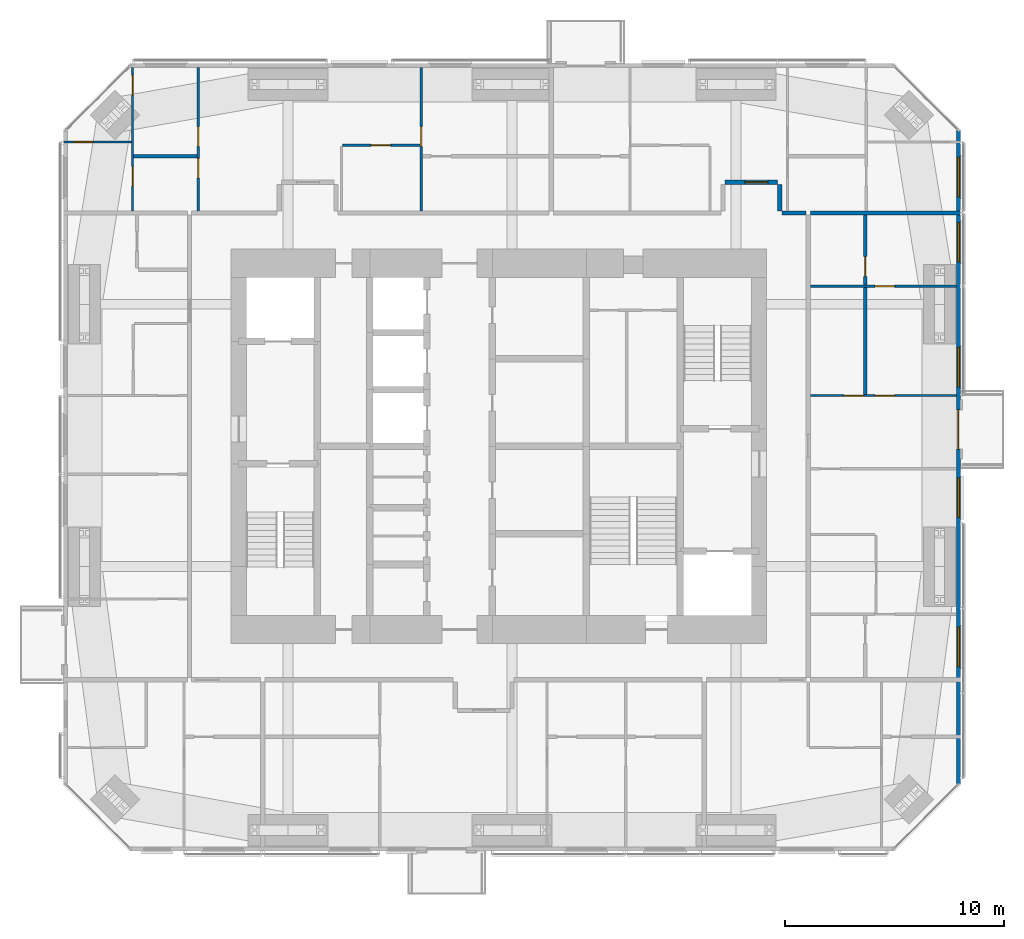
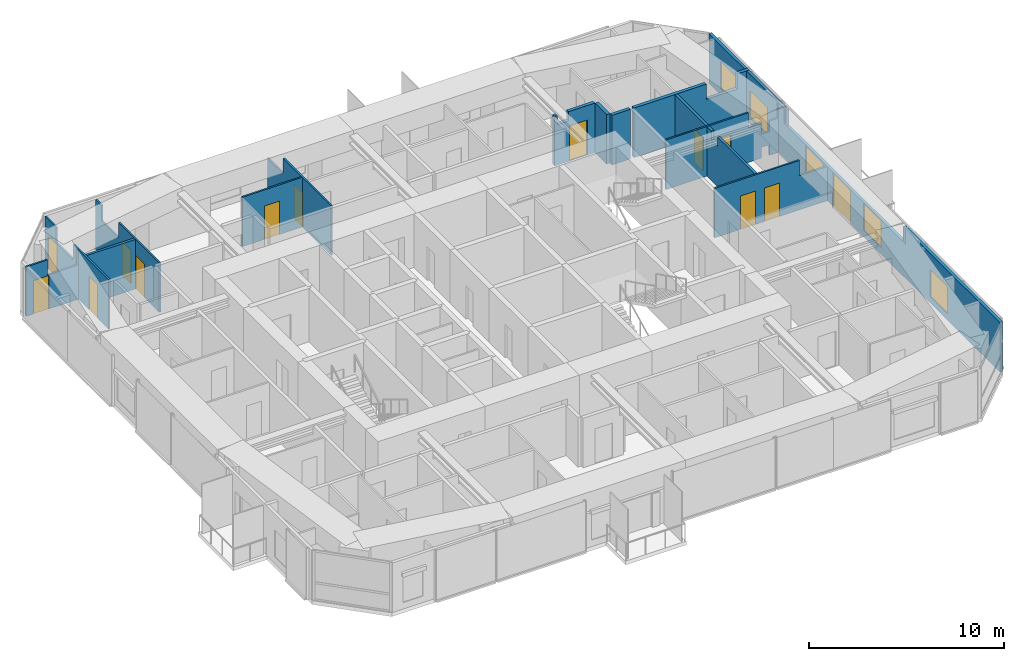
# One storey, part 20 of 23: 15 walls, 13 doors, 5 windows, 18 openings.
"""IFC4 building model written with IfcOpenShell, lengths in metres."""

from ifc_helpers import new_model, si_unit, direction, frame, frame_2d, origin, place, context, subcontext, project, spatial, polyline, rectangle, outline, extrude, material, constituent, constituent_set, type_object, element, fill, save


model = new_model("IFC4")

# Units and contexts
model_context = context("Model", 3, precision=1e-05, world=origin(), true_north=direction((0.0, 1.0)))
body_context = subcontext(model_context, "Body", "Model", "MODEL_VIEW")
ifc_project = project(units=[si_unit("LENGTHUNIT", "METRE"), si_unit("AREAUNIT", "SQUARE_METRE"), si_unit("VOLUMEUNIT", "CUBIC_METRE"), si_unit("PLANEANGLEUNIT", "RADIAN"), si_unit("MASSUNIT", "GRAM", prefix="KILO")], contexts=[model_context])

# Site, building, storey
site_placement = place(None, origin())
site = spatial("IfcSite", under=ifc_project, at=site_placement, CompositionType="ELEMENT")
building_placement = place(site_placement, origin())
building = spatial("IfcBuilding", under=site, at=building_placement, Name="Jalousie Tower", CompositionType="ELEMENT")
storey_placement = place(building_placement, frame((0.0, 0.0, 194.550048828125)))
storey = spatial("IfcBuildingStorey", under=building, at=storey_placement, Name="L53", CompositionType="ELEMENT", Elevation=194.550048828125)

# Walls
ifc_material_1 = material(Name="Concrete block ASTM C90", Category="concrete")
ifc_constituent_1 = constituent(ifc_material_1, Name="Body")
ifc_material_2 = material(Name="Render")
ifc_constituent_2 = constituent(ifc_material_2, Name="Finish")
ifc_constituent_set_1 = constituent_set(constituents=[ifc_constituent_1, ifc_constituent_2])
wall_type_1 = type_object("IfcWallType", Name="BATHROOM WALL 150", PredefinedType="PLUMBINGWALL", material=ifc_constituent_set_1)
wall_1_placement = place(storey_placement, frame((15.199951171875, 31.77490234375, 0.0), z_axis=(0.0, 0.0, 1.0), x_axis=(1.0, 0.0, 0.0)))
element("IfcWall", 1, at=wall_1_placement, inside=storey, type_object=wall_type_1, Name="Bathroom Wall 150 L53", PredefinedType="PLUMBINGWALL", context=body_context, shape_type="SweptSolid", body=[
    extrude(rectangle(XDim=2.900146484375, YDim=0.14990234375, at=frame_2d((1.4501953125, 0.0))), origin(), (0.0, 0.0, 1.0), 3.10986328125),
])
wall_2_placement = place(storey_placement, frame((48.64990234375, 20.875, 0.0), z_axis=(0.0, 0.0, 1.0), x_axis=(0.0, 1.0, 0.0)))
element("IfcWall", 2, at=wall_2_placement, inside=storey, type_object=wall_type_1, Name="Bathroom Wall 150 L53", PredefinedType="PLUMBINGWALL", context=body_context, shape_type="SweptSolid", body=[
    extrude(outline(polyline([(0.0, 0.0), (4.89990234375, 0.0), (4.89990234375, 3.10986328125), (4.4375, 3.10986328125), (4.4375, 2.541015625), (3.8125, 2.541015625), (3.8125, 3.10986328125), (0.0, 3.10986328125), (0.0, 0.0)])), frame((0.0, 0.074951171875, 0.0), z_axis=(0.0, -1.0, 0.0), x_axis=(1.0, 0.0, 0.0)), (0.0, 0.0, 1.0), 0.14990234375),
])

# Wall, opening, door
wall_3_placement = place(storey_placement, frame((48.64990234375, 25.875, 0.0), z_axis=(0.0, 0.0, 1.0), x_axis=(0.0, 1.0, 0.0)))
wall_3 = element("IfcWall", 3, at=wall_3_placement, inside=storey, type_object=wall_type_1, Name="Bathroom Wall 150 L53", PredefinedType="PLUMBINGWALL", context=body_context, shape_type="SweptSolid", body=[
    extrude(rectangle(XDim=3.199951171875, YDim=0.14990234375, at=frame_2d((1.60009765625, 0.0))), origin(), (0.0, 0.0, 1.0), 3.10986328125),
])
opening_1_placement = place(wall_3_placement, frame((0.39990234375, 0.0, 0.0)))
opening_1 = element("IfcOpeningElement", 4, at=opening_1_placement, cuts=wall_3, Name="Opening D3", PredefinedType="OPENING", context=body_context, shape_type="SweptSolid", body=[
    extrude(rectangle(XDim=0.89990234375, YDim=2.10009765625, at=frame_2d((0.449951171875, 1.050048828125))), frame((0.0, 0.0849609375, 0.0), z_axis=(0.0, -1.0, 0.0), x_axis=(1.0, 0.0, 0.0)), (0.0, 0.0, 1.0), 0.169921875),
])
ifc_material_3 = material(Name="Timber door", Category="wood")
door_type_1 = type_object("IfcDoorType", Name="BATHROOM DOOR 900", OperationType="SINGLE_SWING_LEFT", PredefinedType="DOOR", material=ifc_material_3)
door_1_placement = place(opening_1_placement, origin())
door_1 = element("IfcDoor", 5, at=door_1_placement, inside=storey, type_object=door_type_1, Name="Apartment 5307 bedroom 3 bathroom door", OperationType="SINGLE_SWING_LEFT", OverallHeight=2.10009765625, OverallWidth=0.89990234375, PredefinedType="DOOR", context=body_context, shape_type="SweptSolid", body=[
    extrude(rectangle(XDim=0.89990234375, YDim=2.10009765625, at=frame_2d((0.449951171875, 1.050048828125))), frame((0.0, 0.02490234375, 0.0), z_axis=(0.0, -1.0, 0.0), x_axis=(1.0, 0.0, 0.0)), (0.0, 0.0, 1.0), 0.050048828125),
])
fill(opening_1, door_1)

# Wall
ifc_material_4 = material(Name="Concrete block ASTM C90", Category="concrete")
ifc_constituent_3 = constituent(ifc_material_4, Name="Body")
ifc_material_5 = material(Name="Render")
ifc_constituent_4 = constituent(ifc_material_5, Name="Finish")
ifc_constituent_set_2 = constituent_set(constituents=[ifc_constituent_3, ifc_constituent_4])
wall_type_2 = type_object("IfcWallType", Name="CORRIDOR WALL 200", PredefinedType="PARTITIONING", material=ifc_constituent_set_2)
wall_4_placement = place(storey_placement, frame((44.85009765625, 29.175048828125, 0.0), z_axis=(0.0, 0.0, 1.0), x_axis=(1.0, 0.0, 0.0)))
element("IfcWall", 6, at=wall_4_placement, inside=storey, type_object=wall_type_2, Name="Corridor Wall 200 L53", PredefinedType="PARTITIONING", context=body_context, shape_type="SweptSolid", body=[
    extrude(rectangle(XDim=1.099853515625, YDim=0.199951171875, at=frame_2d((0.5498046875, 0.0))), origin(), (0.0, 0.0, 1.0), 3.10986328125),
])

# Wall, opening, door
wall_5_placement = place(storey_placement, frame((42.25, 30.574951171875, 0.0), z_axis=(0.0, 0.0, 1.0), x_axis=(1.0, 0.0, 0.0)))
wall_5 = element("IfcWall", 7, at=wall_5_placement, inside=storey, type_object=wall_type_2, Name="Corridor Wall 200 L53", PredefinedType="PARTITIONING", context=body_context, shape_type="SweptSolid", body=[
    extrude(outline(polyline([(0.0, 0.0), (2.39990234375, 0.0), (2.39990234375, 3.10986328125), (0.83740234375, 3.10986328125), (0.83740234375, 2.541015625), (0.16259765625, 2.541015625), (0.16259765625, 3.10986328125), (0.0, 3.10986328125), (0.0, 0.0)])), frame((0.0, 0.10009765625, 0.0), z_axis=(0.0, -1.0, 0.0), x_axis=(1.0, 0.0, 0.0)), (0.0, 0.0, 1.0), 0.199951171875),
])
opening_2_placement = place(wall_5_placement, frame((0.89990234375, 0.0, 0.0)))
opening_2 = element("IfcOpeningElement", 8, at=opening_2_placement, cuts=wall_5, Name="Opening D1", PredefinedType="OPENING", context=body_context, shape_type="SweptSolid", body=[
    extrude(rectangle(XDim=1.050048828125, YDim=2.199951171875, at=frame_2d((0.52490234375, 1.10009765625))), frame((0.0, 0.10986328125, 0.0), z_axis=(0.0, -1.0, 0.0), x_axis=(1.0, 0.0, 0.0)), (0.0, 0.0, 1.0), 0.219970703125),
])
ifc_material_6 = material(Name="Timber fire door", Category="wood")
door_type_2 = type_object("IfcDoorType", Name="APARTMENT ENTRANCE DOOR 1050", OperationType="SINGLE_SWING_LEFT", PredefinedType="DOOR", material=ifc_material_6)
door_2_placement = place(opening_2_placement, origin())
door_2 = element("IfcDoor", 9, at=door_2_placement, inside=storey, type_object=door_type_2, Name="Apartment 5305 entrance", OperationType="SINGLE_SWING_RIGHT", OverallHeight=2.199951171875, OverallWidth=1.050048828125, PredefinedType="DOOR", context=body_context, shape_type="SweptSolid", body=[
    extrude(rectangle(XDim=1.050048828125, YDim=2.199951171875, at=frame_2d((0.52490234375, 1.10009765625))), frame((0.0, 0.02490234375, 0.0), z_axis=(0.0, -1.0, 0.0), x_axis=(1.0, 0.0, 0.0)), (0.0, 0.0, 1.0), 0.050048828125),
])
fill(opening_2, door_2)

# Wall
wall_6_placement = place(storey_placement, frame((44.75, 29.27490234375, 0.0), z_axis=(0.0, 0.0, 1.0), x_axis=(0.0, 1.0, 0.0)))
element("IfcWall", 10, at=wall_6_placement, inside=storey, type_object=wall_type_2, Name="Corridor Wall 200 L53", PredefinedType="PARTITIONING", context=body_context, shape_type="SweptSolid", body=[
    extrude(rectangle(XDim=1.2001953125, YDim=0.199951171875, at=frame_2d((0.60009765625, 0.0))), origin(), (0.0, 0.0, 1.0), 3.10986328125),
])

# Wall, openings, door, windows
ifc_material_7 = material(Name="Concrete f'c 40 MPa", Category="concrete")
ifc_constituent_5 = constituent(ifc_material_7, Name="Body")
ifc_material_8 = material(Name="Render, pastel lemon")
ifc_constituent_6 = constituent(ifc_material_8, Name="Finish")
ifc_constituent_set_3 = constituent_set(constituents=[ifc_constituent_5, ifc_constituent_6])
wall_type_3 = type_object("IfcWallType", Name="EXTERNAL WALL 175 LEMON RENDER", PredefinedType="SOLIDWALL", material=ifc_constituent_set_3)
wall_7_placement = place(storey_placement, frame((52.91259765625, 3.05126953125, 0.0), z_axis=(0.0, 0.0, 1.0), x_axis=(0.0, 1.0, 0.0)))
wall_7 = element("IfcWall", 11, at=wall_7_placement, inside=storey, type_object=wall_type_3, Name="External Wall 175 Lemon Render L53", PredefinedType="SOLIDWALL", context=body_context, shape_type="SweptSolid", body=[
    extrude(outline(polyline([(0.0, 0.0), (29.8974609375, 0.0), (29.8974609375, 3.10986328125), (22.16748046875, 3.10986328125), (22.16748046875, 2.14990234375), (22.073974609375, 2.14990234375), (22.073974609375, 3.10986328125), (21.94873046875, 3.10986328125), (21.94873046875, 2.14990234375), (9.94873046875, 2.14990234375), (9.94873046875, 3.10986328125), (9.846923828125, 3.10986328125), (9.846923828125, 2.14990234375), (9.7060546875, 2.14990234375), (9.7060546875, 3.10986328125), (0.0, 3.10986328125), (0.0, 0.0)])), frame((0.0, 0.08740234375, 0.0), z_axis=(0.0, -1.0, 0.0), x_axis=(1.0, 0.0, 0.0)), (0.0, 0.0, 1.0), 0.175048828125),
])
opening_3_placement = place(wall_7_placement, frame((5.373779296875, 0.0, 0.39990234375)))
opening_3 = element("IfcOpeningElement", 12, at=opening_3_placement, cuts=wall_7, Name="Opening W-BED170", PredefinedType="OPENING", context=body_context, shape_type="SweptSolid", body=[
    extrude(rectangle(XDim=1.800048828125, YDim=1.699951171875, at=frame_2d((0.89990234375, 0.85009765625))), frame((0.0, 0.097412109375, 0.0), z_axis=(0.0, -1.0, 0.0), x_axis=(1.0, 0.0, 0.0)), (0.0, 0.0, 1.0), 0.195068359375),
])
opening_4_placement = place(wall_7_placement, frame((12.19873046875, 0.0, 0.39990234375)))
opening_4 = element("IfcOpeningElement", 13, at=opening_4_placement, cuts=wall_7, Name="Opening W-BED170", PredefinedType="OPENING", context=body_context, shape_type="SweptSolid", body=[
    extrude(rectangle(XDim=1.800048828125, YDim=1.699951171875, at=frame_2d((0.89990234375, 0.85009765625))), frame((0.0, 0.097412109375, 0.0), z_axis=(0.0, -1.0, 0.0), x_axis=(1.0, 0.0, 0.0)), (0.0, 0.0, 1.0), 0.195068359375),
])
opening_5_placement = place(wall_7_placement, frame((15.32373046875, 0.0, 0.0)))
opening_5 = element("IfcOpeningElement", 14, at=opening_5_placement, cuts=wall_7, Name="Opening D-BAL21", PredefinedType="OPENING", context=body_context, shape_type="SweptSolid", body=[
    extrude(rectangle(XDim=1.800048828125, YDim=2.10009765625, at=frame_2d((0.89990234375, 1.050048828125))), frame((0.0, 0.097412109375, 0.0), z_axis=(0.0, -1.0, 0.0), x_axis=(1.0, 0.0, 0.0)), (0.0, 0.0, 1.0), 0.195068359375),
])
opening_6_placement = place(wall_7_placement, frame((18.173583984375, 0.0, 0.39990234375)))
opening_6 = element("IfcOpeningElement", 15, at=opening_6_placement, cuts=wall_7, Name="Opening W-BED170", PredefinedType="OPENING", context=body_context, shape_type="SweptSolid", body=[
    extrude(rectangle(XDim=1.800048828125, YDim=1.699951171875, at=frame_2d((0.89990234375, 0.85009765625))), frame((0.0, 0.097412109375, 0.0), z_axis=(0.0, -1.0, 0.0), x_axis=(1.0, 0.0, 0.0)), (0.0, 0.0, 1.0), 0.195068359375),
])
opening_7_placement = place(wall_7_placement, frame((23.88623046875, 0.0, 0.39990234375)))
opening_7 = element("IfcOpeningElement", 16, at=opening_7_placement, cuts=wall_7, Name="Opening W-BED170", PredefinedType="OPENING", context=body_context, shape_type="SweptSolid", body=[
    extrude(rectangle(XDim=1.800048828125, YDim=1.699951171875, at=frame_2d((0.89990234375, 0.85009765625))), frame((0.0, 0.097412109375, 0.0), z_axis=(0.0, -1.0, 0.0), x_axis=(1.0, 0.0, 0.0)), (0.0, 0.0, 1.0), 0.195068359375),
])
opening_8_placement = place(wall_7_placement, frame((26.871337890625, 0.0, 0.39990234375)))
opening_8 = element("IfcOpeningElement", 17, at=opening_8_placement, cuts=wall_7, Name="Opening W-BED170", PredefinedType="OPENING", context=body_context, shape_type="SweptSolid", body=[
    extrude(rectangle(XDim=1.800048828125, YDim=1.699951171875, at=frame_2d((0.89990234375, 0.85009765625))), frame((0.0, 0.097412109375, 0.0), z_axis=(0.0, -1.0, 0.0), x_axis=(1.0, 0.0, 0.0)), (0.0, 0.0, 1.0), 0.195068359375),
])
ifc_material_9 = material(Name="Aluminium frame, impact-rated glazing", Category="aluminium")
door_type_3 = type_object("IfcDoorType", Name="BALCONY DOOR 1800x2100", OperationType="SLIDING_TO_LEFT", PredefinedType="DOOR", material=ifc_material_9)
door_3_placement = place(opening_5_placement, origin())
door_3 = element("IfcDoor", 18, at=door_3_placement, inside=storey, type_object=door_type_3, Name="Apartment 5307 study balcony door", OperationType="SLIDING_TO_LEFT", OverallHeight=2.10009765625, OverallWidth=1.800048828125, PredefinedType="DOOR", context=body_context, shape_type="SweptSolid", body=[
    extrude(rectangle(XDim=1.800048828125, YDim=2.10009765625, at=frame_2d((0.89990234375, 1.050048828125))), frame((0.0, 0.02490234375, 0.0), z_axis=(0.0, -1.0, 0.0), x_axis=(1.0, 0.0, 0.0)), (0.0, 0.0, 1.0), 0.050048828125),
])
fill(opening_5, door_3)
ifc_material_10 = material(Name="Aluminium frame, impact-rated glazing", Category="aluminium")
window_type = type_object("IfcWindowType", Name="WINDOW BED 1800x1700", PartitioningType="SINGLE_PANEL", PredefinedType="WINDOW", material=ifc_material_10)
window_1_placement = place(opening_3_placement, origin())
window_1 = element("IfcWindow", 19, at=window_1_placement, inside=storey, type_object=window_type, Name="Apartment 5307 bedroom 1 window", OverallHeight=1.699951171875, OverallWidth=1.800048828125, PartitioningType="SINGLE_PANEL", PredefinedType="WINDOW", context=body_context, shape_type="SweptSolid", body=[
    extrude(rectangle(XDim=1.800048828125, YDim=1.699951171875, at=frame_2d((0.89990234375, 0.85009765625))), frame((0.0, 0.030029296875, 0.0), z_axis=(0.0, -1.0, 0.0), x_axis=(1.0, 0.0, 0.0)), (0.0, 0.0, 1.0), 0.06005859375),
])
fill(opening_3, window_1)
window_2_placement = place(opening_4_placement, origin())
window_2 = element("IfcWindow", 20, at=window_2_placement, inside=storey, type_object=window_type, Name="Apartment 5307 living and dining room window", OverallHeight=1.699951171875, OverallWidth=1.800048828125, PartitioningType="SINGLE_PANEL", PredefinedType="WINDOW", context=body_context, shape_type="SweptSolid", body=[
    extrude(rectangle(XDim=1.800048828125, YDim=1.699951171875, at=frame_2d((0.89990234375, 0.85009765625))), frame((0.0, 0.030029296875, 0.0), z_axis=(0.0, -1.0, 0.0), x_axis=(1.0, 0.0, 0.0)), (0.0, 0.0, 1.0), 0.06005859375),
])
fill(opening_4, window_2)
window_3_placement = place(opening_6_placement, origin())
window_3 = element("IfcWindow", 21, at=window_3_placement, inside=storey, type_object=window_type, Name="Apartment 5307 bedroom 2 window", OverallHeight=1.699951171875, OverallWidth=1.800048828125, PartitioningType="SINGLE_PANEL", PredefinedType="WINDOW", context=body_context, shape_type="SweptSolid", body=[
    extrude(rectangle(XDim=1.800048828125, YDim=1.699951171875, at=frame_2d((0.89990234375, 0.85009765625))), frame((0.0, 0.030029296875, 0.0), z_axis=(0.0, -1.0, 0.0), x_axis=(1.0, 0.0, 0.0)), (0.0, 0.0, 1.0), 0.06005859375),
])
fill(opening_6, window_3)
window_4_placement = place(opening_7_placement, origin())
window_4 = element("IfcWindow", 22, at=window_4_placement, inside=storey, type_object=window_type, Name="Apartment 5307 bedroom 3 window", OverallHeight=1.699951171875, OverallWidth=1.800048828125, PartitioningType="SINGLE_PANEL", PredefinedType="WINDOW", context=body_context, shape_type="SweptSolid", body=[
    extrude(rectangle(XDim=1.800048828125, YDim=1.699951171875, at=frame_2d((0.89990234375, 0.85009765625))), frame((0.0, 0.030029296875, 0.0), z_axis=(0.0, -1.0, 0.0), x_axis=(1.0, 0.0, 0.0)), (0.0, 0.0, 1.0), 0.06005859375),
])
fill(opening_7, window_4)
window_5_placement = place(opening_8_placement, origin())
window_5 = element("IfcWindow", 23, at=window_5_placement, inside=storey, type_object=window_type, Name="Apartment 5305 bedroom 3 window", OverallHeight=1.699951171875, OverallWidth=1.800048828125, PartitioningType="SINGLE_PANEL", PredefinedType="WINDOW", context=body_context, shape_type="SweptSolid", body=[
    extrude(rectangle(XDim=1.800048828125, YDim=1.699951171875, at=frame_2d((0.89990234375, 0.85009765625))), frame((0.0, 0.030029296875, 0.0), z_axis=(0.0, -1.0, 0.0), x_axis=(1.0, 0.0, 0.0)), (0.0, 0.0, 1.0), 0.06005859375),
])
fill(opening_8, window_5)

# Wall, openings, doors
ifc_material_11 = material(Name="Gypsum board", Category="gypsum")
ifc_constituent_7 = constituent(ifc_material_11, Name="Body")
ifc_material_12 = material(Name="Light-gauge steel studs ASTM A653 SS Grade 33", Category="steel")
ifc_constituent_8 = constituent(ifc_material_12, Name="Framing")
ifc_constituent_set_4 = constituent_set(constituents=[ifc_constituent_7, ifc_constituent_8])
wall_type_4 = type_object("IfcWallType", Name="PARTITION 100", PredefinedType="PARTITIONING", material=ifc_constituent_set_4)
wall_8_placement = place(storey_placement, frame((15.14990234375, 35.824951171875, 0.0), z_axis=(0.0, 0.0, 1.0), x_axis=(0.0, -1.0, 0.0)))
wall_8 = element("IfcWall", 24, at=wall_8_placement, inside=storey, type_object=wall_type_4, Name="Partition 100 L53", PredefinedType="PARTITIONING", context=body_context, shape_type="SweptSolid", body=[
    extrude(outline(polyline([(0.0, 0.0), (6.550048828125, 0.0), (6.550048828125, 3.10986328125), (2.905029296875, 3.10986328125), (2.905029296875, 2.14990234375), (1.158203125, 2.14990234375), (1.158203125, 3.10986328125), (0.0, 3.10986328125), (0.0, 0.0)])), frame((0.0, 0.050048828125, 0.0), z_axis=(0.0, -1.0, 0.0), x_axis=(1.0, 0.0, 0.0)), (0.0, 0.0, 1.0), 0.10009765625),
])
opening_9_placement = place(wall_8_placement, frame((0.35498046875, 0.0, 0.0)))
opening_9 = element("IfcOpeningElement", 25, at=opening_9_placement, cuts=wall_8, Name="Opening D2", PredefinedType="OPENING", context=body_context, shape_type="SweptSolid", body=[
    extrude(rectangle(XDim=0.89990234375, YDim=2.10009765625, at=frame_2d((0.449951171875, 1.050048828125))), frame((0.0, 0.06005859375, 0.0), z_axis=(0.0, -1.0, 0.0), x_axis=(1.0, 0.0, 0.0)), (0.0, 0.0, 1.0), 0.1201171875),
])
opening_10_placement = place(wall_8_placement, frame((4.52734375, 0.0, 0.0)))
opening_10 = element("IfcOpeningElement", 26, at=opening_10_placement, cuts=wall_8, Name="Opening D3", PredefinedType="OPENING", context=body_context, shape_type="SweptSolid", body=[
    extrude(rectangle(XDim=0.89990234375, YDim=2.10009765625, at=frame_2d((0.449951171875, 1.050048828125))), frame((0.0, 0.06005859375, 0.0), z_axis=(0.0, -1.0, 0.0), x_axis=(1.0, 0.0, 0.0)), (0.0, 0.0, 1.0), 0.1201171875),
])
door_4_placement = place(opening_10_placement, origin())
door_4 = element("IfcDoor", 27, at=door_4_placement, inside=storey, type_object=door_type_1, Name="Apartment 5304 bedroom 1 bathroom door", OperationType="SINGLE_SWING_LEFT", OverallHeight=2.10009765625, OverallWidth=0.89990234375, PredefinedType="DOOR", context=body_context, shape_type="SweptSolid", body=[
    extrude(rectangle(XDim=0.89990234375, YDim=2.10009765625, at=frame_2d((0.449951171875, 1.050048828125))), frame((0.0, 0.02490234375, 0.0), z_axis=(0.0, -1.0, 0.0), x_axis=(1.0, 0.0, 0.0)), (0.0, 0.0, 1.0), 0.050048828125),
])
fill(opening_10, door_4)
ifc_material_13 = material(Name="Timber door", Category="wood")
door_type_4 = type_object("IfcDoorType", Name="BEDROOM DOOR 900", OperationType="SINGLE_SWING_LEFT", PredefinedType="DOOR", material=ifc_material_13)
door_5_placement = place(opening_9_placement, origin())
door_5 = element("IfcDoor", 28, at=door_5_placement, inside=storey, type_object=door_type_4, Name="Apartment 5304 bedroom 1 door", OperationType="SINGLE_SWING_LEFT", OverallHeight=2.10009765625, OverallWidth=0.89990234375, PredefinedType="DOOR", context=body_context, shape_type="SweptSolid", body=[
    extrude(rectangle(XDim=0.89990234375, YDim=2.10009765625, at=frame_2d((0.449951171875, 1.050048828125))), frame((0.0, 0.02490234375, 0.0), z_axis=(0.0, -1.0, 0.0), x_axis=(1.0, 0.0, 0.0)), (0.0, 0.0, 1.0), 0.050048828125),
])
fill(opening_9, door_5)

wall_9_placement = place(storey_placement, frame((18.14990234375, 35.824951171875, 0.0), z_axis=(0.0, 0.0, 1.0), x_axis=(0.0, -1.0, 0.0)))
wall_9 = element("IfcWall", 29, at=wall_9_placement, inside=storey, type_object=wall_type_4, Name="Partition 100 L53", PredefinedType="PARTITIONING", context=body_context, shape_type="SweptSolid", body=[
    extrude(outline(polyline([(0.0, 0.0), (6.550048828125, 0.0), (6.550048828125, 3.10986328125), (2.3740234375, 3.10986328125), (2.3740234375, 2.14990234375), (0.627197265625, 2.14990234375), (0.627197265625, 3.10986328125), (0.0, 3.10986328125), (0.0, 0.0)])), frame((0.0, 0.050048828125, 0.0), z_axis=(0.0, -1.0, 0.0), x_axis=(1.0, 0.0, 0.0)), (0.0, 0.0, 1.0), 0.10009765625),
])
opening_11_placement = place(wall_9_placement, frame((2.699951171875, 0.0, 0.0)))
opening_11 = element("IfcOpeningElement", 30, at=opening_11_placement, cuts=wall_9, Name="Opening D2", PredefinedType="OPENING", context=body_context, shape_type="SweptSolid", body=[
    extrude(rectangle(XDim=0.89990234375, YDim=2.10009765625, at=frame_2d((0.449951171875, 1.050048828125))), frame((0.0, 0.06005859375, 0.0), z_axis=(0.0, -1.0, 0.0), x_axis=(1.0, 0.0, 0.0)), (0.0, 0.0, 1.0), 0.1201171875),
])
opening_12_placement = place(wall_9_placement, frame((4.14990234375, 0.0, 0.0)))
opening_12 = element("IfcOpeningElement", 31, at=opening_12_placement, cuts=wall_9, Name="Opening D7", PredefinedType="OPENING", context=body_context, shape_type="SweptSolid", body=[
    extrude(rectangle(XDim=0.89990234375, YDim=2.10009765625, at=frame_2d((0.449951171875, 1.050048828125))), frame((0.0, 0.06005859375, 0.0), z_axis=(0.0, -1.0, 0.0), x_axis=(1.0, 0.0, 0.0)), (0.0, 0.0, 1.0), 0.1201171875),
])
door_6_placement = place(opening_11_placement, frame((0.89990234375, 0.0, 0.0), z_axis=(0.0, 0.0, 1.0), x_axis=(-1.0, 0.0, 0.0)))
door_6 = element("IfcDoor", 32, at=door_6_placement, inside=storey, type_object=door_type_4, Name="Apartment 5304 bedroom 2 door", OperationType="SINGLE_SWING_LEFT", OverallHeight=2.10009765625, OverallWidth=0.89990234375, PredefinedType="DOOR", context=body_context, shape_type="SweptSolid", body=[
    extrude(rectangle(XDim=0.89990234375, YDim=2.10009765625, at=frame_2d((0.449951171875, 1.050048828125))), frame((0.0, 0.02490234375, 0.0), z_axis=(0.0, -1.0, 0.0), x_axis=(1.0, 0.0, 0.0)), (0.0, 0.0, 1.0), 0.050048828125),
])
fill(opening_11, door_6)
ifc_material_14 = material(Name="Timber door", Category="wood")
door_type_5 = type_object("IfcDoorType", Name="INTERNAL DOOR 900", OperationType="SINGLE_SWING_LEFT", PredefinedType="DOOR", material=ifc_material_14)
door_7_placement = place(opening_12_placement, frame((0.89990234375, 0.0, 0.0), z_axis=(0.0, 0.0, 1.0), x_axis=(-1.0, 0.0, 0.0)))
door_7 = element("IfcDoor", 33, at=door_7_placement, inside=storey, type_object=door_type_5, Name="Apartment 5304 bathroom door", OperationType="SINGLE_SWING_RIGHT", OverallHeight=2.10009765625, OverallWidth=0.89990234375, PredefinedType="DOOR", context=body_context, shape_type="SweptSolid", body=[
    extrude(rectangle(XDim=0.89990234375, YDim=2.10009765625, at=frame_2d((0.449951171875, 1.050048828125))), frame((0.0, 0.02490234375, 0.0), z_axis=(0.0, -1.0, 0.0), x_axis=(1.0, 0.0, 0.0)), (0.0, 0.0, 1.0), 0.050048828125),
])
fill(opening_12, door_7)

# Wall, opening, door
wall_10_placement = place(storey_placement, frame((28.35009765625, 35.824951171875, 0.0), z_axis=(0.0, 0.0, 1.0), x_axis=(0.0, -1.0, 0.0)))
wall_10 = element("IfcWall", 34, at=wall_10_placement, inside=storey, type_object=wall_type_4, Name="Partition 100 L53", PredefinedType="PARTITIONING", context=body_context, shape_type="SweptSolid", body=[
    extrude(outline(polyline([(0.0, 0.0), (6.550048828125, 0.0), (6.550048828125, 3.10986328125), (1.635009765625, 3.10986328125), (1.635009765625, 2.14990234375), (0.0, 2.14990234375), (0.0, 3.10986328125), (0.0, 0.0)])), frame((0.0, 0.050048828125, 0.0), z_axis=(0.0, -1.0, 0.0), x_axis=(1.0, 0.0, 0.0)), (0.0, 0.0, 1.0), 0.10009765625),
])
opening_13_placement = place(wall_10_placement, frame((2.699951171875, 0.0, 0.0)))
opening_13 = element("IfcOpeningElement", 35, at=opening_13_placement, cuts=wall_10, Name="Opening D2", PredefinedType="OPENING", context=body_context, shape_type="SweptSolid", body=[
    extrude(rectangle(XDim=0.89990234375, YDim=2.10009765625, at=frame_2d((0.449951171875, 1.050048828125))), frame((0.0, 0.06005859375, 0.0), z_axis=(0.0, -1.0, 0.0), x_axis=(1.0, 0.0, 0.0)), (0.0, 0.0, 1.0), 0.1201171875),
])
door_8_placement = place(opening_13_placement, origin())
door_8 = element("IfcDoor", 36, at=door_8_placement, inside=storey, type_object=door_type_4, Name="Apartment 5304 bedroom 3 door", OperationType="SINGLE_SWING_RIGHT", OverallHeight=2.10009765625, OverallWidth=0.89990234375, PredefinedType="DOOR", context=body_context, shape_type="SweptSolid", body=[
    extrude(rectangle(XDim=0.89990234375, YDim=2.10009765625, at=frame_2d((0.449951171875, 1.050048828125))), frame((0.0, 0.02490234375, 0.0), z_axis=(0.0, -1.0, 0.0), x_axis=(1.0, 0.0, 0.0)), (0.0, 0.0, 1.0), 0.050048828125),
])
fill(opening_13, door_8)

wall_11_placement = place(storey_placement, frame((12.0, 32.420166015625, 0.0), z_axis=(0.0, 0.0, 1.0), x_axis=(1.0, 0.0, 0.0)))
wall_11 = element("IfcWall", 37, at=wall_11_placement, inside=storey, type_object=wall_type_4, Name="Partition 100 L53", PredefinedType="PARTITIONING", context=body_context, shape_type="SweptSolid", body=[
    extrude(outline(polyline([(0.0, 0.0), (3.10009765625, 0.0), (3.10009765625, 3.10986328125), (3.0205078125, 3.10986328125), (3.0205078125, 2.14990234375), (1.2783203125, 2.14990234375), (1.2783203125, 3.10986328125), (0.0, 3.10986328125), (0.0, 0.0)])), frame((0.0, 0.050048828125, 0.0), z_axis=(0.0, -1.0, 0.0), x_axis=(1.0, 0.0, 0.0)), (0.0, 0.0, 1.0), 0.10009765625),
])
opening_14_placement = place(wall_11_placement, frame((0.449951171875, 0.0, 0.0)))
opening_14 = element("IfcOpeningElement", 38, at=opening_14_placement, cuts=wall_11, Name="Opening D7", PredefinedType="OPENING", context=body_context, shape_type="SweptSolid", body=[
    extrude(rectangle(XDim=0.89990234375, YDim=2.10009765625, at=frame_2d((0.449951171875, 1.050048828125))), frame((0.0, 0.06005859375, 0.0), z_axis=(0.0, -1.0, 0.0), x_axis=(1.0, 0.0, 0.0)), (0.0, 0.0, 1.0), 0.1201171875),
])
door_9_placement = place(opening_14_placement, frame((0.89990234375, 0.0, 0.0), z_axis=(0.0, 0.0, 1.0), x_axis=(-1.0, 0.0, 0.0)))
door_9 = element("IfcDoor", 39, at=door_9_placement, inside=storey, type_object=door_type_5, Name="Apartment 5304 bedroom 1 dressing hall door", OperationType="SINGLE_SWING_RIGHT", OverallHeight=2.10009765625, OverallWidth=0.89990234375, PredefinedType="DOOR", context=body_context, shape_type="SweptSolid", body=[
    extrude(rectangle(XDim=0.89990234375, YDim=2.10009765625, at=frame_2d((0.449951171875, 1.050048828125))), frame((0.0, 0.02490234375, 0.0), z_axis=(0.0, -1.0, 0.0), x_axis=(1.0, 0.0, 0.0)), (0.0, 0.0, 1.0), 0.050048828125),
])
fill(opening_14, door_9)

wall_12_placement = place(storey_placement, frame((24.75, 32.27490234375, 0.0), z_axis=(0.0, 0.0, 1.0), x_axis=(1.0, 0.0, 0.0)))
wall_12 = element("IfcWall", 40, at=wall_12_placement, inside=storey, type_object=wall_type_4, Name="Partition 100 L53", PredefinedType="PARTITIONING", context=body_context, shape_type="SweptSolid", body=[
    extrude(rectangle(XDim=3.550048828125, YDim=0.10009765625, at=frame_2d((1.77490234375, 0.0))), origin(), (0.0, 0.0, 1.0), 3.10986328125),
])
opening_15_placement = place(wall_12_placement, frame((1.300048828125, 0.0, 0.0)))
opening_15 = element("IfcOpeningElement", 41, at=opening_15_placement, cuts=wall_12, Name="Opening D7", PredefinedType="OPENING", context=body_context, shape_type="SweptSolid", body=[
    extrude(rectangle(XDim=0.89990234375, YDim=2.10009765625, at=frame_2d((0.449951171875, 1.050048828125))), frame((0.0, 0.06005859375, 0.0), z_axis=(0.0, -1.0, 0.0), x_axis=(1.0, 0.0, 0.0)), (0.0, 0.0, 1.0), 0.1201171875),
])
door_10_placement = place(opening_15_placement, origin())
door_10 = element("IfcDoor", 42, at=door_10_placement, inside=storey, type_object=door_type_5, Name="Apartment 5304 kitchen door", OperationType="SINGLE_SWING_RIGHT", OverallHeight=2.10009765625, OverallWidth=0.89990234375, PredefinedType="DOOR", context=body_context, shape_type="SweptSolid", body=[
    extrude(rectangle(XDim=0.89990234375, YDim=2.10009765625, at=frame_2d((0.449951171875, 1.050048828125))), frame((0.0, 0.02490234375, 0.0), z_axis=(0.0, -1.0, 0.0), x_axis=(1.0, 0.0, 0.0)), (0.0, 0.0, 1.0), 0.050048828125),
])
fill(opening_15, door_10)

# Wall, openings, doors
wall_13_placement = place(storey_placement, frame((52.824951171875, 20.824951171875, 0.0), z_axis=(0.0, 0.0, 1.0), x_axis=(-1.0, 0.0, 0.0)))
wall_13 = element("IfcWall", 43, at=wall_13_placement, inside=storey, type_object=wall_type_4, Name="Partition 100 L53", PredefinedType="PARTITIONING", context=body_context, shape_type="SweptSolid", body=[
    extrude(outline(polyline([(0.0, 0.0), (6.675048828125, 0.0), (6.675048828125, 3.10986328125), (1.635009765625, 3.10986328125), (1.635009765625, 2.14990234375), (0.0, 2.14990234375), (0.0, 3.10986328125), (0.0, 0.0)])), frame((0.0, 0.050048828125, 0.0), z_axis=(0.0, -1.0, 0.0), x_axis=(1.0, 0.0, 0.0)), (0.0, 0.0, 1.0), 0.10009765625),
])
opening_16_placement = place(wall_13_placement, frame((2.824951171875, 0.0, 0.0)))
opening_16 = element("IfcOpeningElement", 44, at=opening_16_placement, cuts=wall_13, Name="Opening D2", PredefinedType="OPENING", context=body_context, shape_type="SweptSolid", body=[
    extrude(rectangle(XDim=0.89990234375, YDim=2.10009765625, at=frame_2d((0.449951171875, 1.050048828125))), frame((0.0, 0.06005859375, 0.0), z_axis=(0.0, -1.0, 0.0), x_axis=(1.0, 0.0, 0.0)), (0.0, 0.0, 1.0), 0.1201171875),
])
opening_17_placement = place(wall_13_placement, frame((4.25, 0.0, 0.0)))
opening_17 = element("IfcOpeningElement", 45, at=opening_17_placement, cuts=wall_13, Name="Opening D7", PredefinedType="OPENING", context=body_context, shape_type="SweptSolid", body=[
    extrude(rectangle(XDim=0.89990234375, YDim=2.10009765625, at=frame_2d((0.449951171875, 1.050048828125))), frame((0.0, 0.06005859375, 0.0), z_axis=(0.0, -1.0, 0.0), x_axis=(1.0, 0.0, 0.0)), (0.0, 0.0, 1.0), 0.1201171875),
])
door_11_placement = place(opening_16_placement, frame((0.89990234375, 0.0, 0.0), z_axis=(0.0, 0.0, 1.0), x_axis=(-1.0, 0.0, 0.0)))
door_11 = element("IfcDoor", 46, at=door_11_placement, inside=storey, type_object=door_type_4, Name="Apartment 5307 bedroom 2 door", OperationType="SINGLE_SWING_LEFT", OverallHeight=2.10009765625, OverallWidth=0.89990234375, PredefinedType="DOOR", context=body_context, shape_type="SweptSolid", body=[
    extrude(rectangle(XDim=0.89990234375, YDim=2.10009765625, at=frame_2d((0.449951171875, 1.050048828125))), frame((0.0, 0.02490234375, 0.0), z_axis=(0.0, -1.0, 0.0), x_axis=(1.0, 0.0, 0.0)), (0.0, 0.0, 1.0), 0.050048828125),
])
fill(opening_16, door_11)
door_12_placement = place(opening_17_placement, frame((0.89990234375, 0.0, 0.0), z_axis=(0.0, 0.0, 1.0), x_axis=(-1.0, 0.0, 0.0)))
door_12 = element("IfcDoor", 47, at=door_12_placement, inside=storey, type_object=door_type_5, Name="Apartment 5307 bathroom door", OperationType="SINGLE_SWING_RIGHT", OverallHeight=2.10009765625, OverallWidth=0.89990234375, PredefinedType="DOOR", context=body_context, shape_type="SweptSolid", body=[
    extrude(rectangle(XDim=0.89990234375, YDim=2.10009765625, at=frame_2d((0.449951171875, 1.050048828125))), frame((0.0, 0.02490234375, 0.0), z_axis=(0.0, -1.0, 0.0), x_axis=(1.0, 0.0, 0.0)), (0.0, 0.0, 1.0), 0.050048828125),
])
fill(opening_17, door_12)

# Wall, opening, door
wall_14_placement = place(storey_placement, frame((52.824951171875, 25.824951171875, 0.0), z_axis=(0.0, 0.0, 1.0), x_axis=(-1.0, 0.0, 0.0)))
wall_14 = element("IfcWall", 48, at=wall_14_placement, inside=storey, type_object=wall_type_4, Name="Partition 100 L53", PredefinedType="PARTITIONING", context=body_context, shape_type="SweptSolid", body=[
    extrude(outline(polyline([(0.037109375, 3.10986328125), (0.0, 3.10986328125), (0.0, 0.0), (0.52880859375, 0.0), (0.52880859375, 0.663818359375), (1.021240234375, 0.663818359375), (1.021240234375, 0.0), (6.675048828125, 0.0), (6.675048828125, 3.10986328125), (1.779541015625, 3.10986328125), (1.779541015625, 2.14990234375), (1.021240234375, 2.14990234375), (1.021240234375, 1.486083984375), (0.52880859375, 1.486083984375), (0.52880859375, 2.14990234375), (0.037109375, 2.14990234375), (0.037109375, 3.10986328125)])), frame((0.0, 0.050048828125, 0.0), z_axis=(0.0, -1.0, 0.0), x_axis=(1.0, 0.0, 0.0)), (0.0, 0.0, 1.0), 0.10009765625),
])
opening_18_placement = place(wall_14_placement, frame((2.824951171875, 0.0, 0.0)))
opening_18 = element("IfcOpeningElement", 49, at=opening_18_placement, cuts=wall_14, Name="Opening D2", PredefinedType="OPENING", context=body_context, shape_type="SweptSolid", body=[
    extrude(rectangle(XDim=0.89990234375, YDim=2.10009765625, at=frame_2d((0.449951171875, 1.050048828125))), frame((0.0, 0.06005859375, 0.0), z_axis=(0.0, -1.0, 0.0), x_axis=(1.0, 0.0, 0.0)), (0.0, 0.0, 1.0), 0.1201171875),
])
door_13_placement = place(opening_18_placement, origin())
door_13 = element("IfcDoor", 50, at=door_13_placement, inside=storey, type_object=door_type_4, Name="Apartment 5307 bedroom 3 door", OperationType="SINGLE_SWING_RIGHT", OverallHeight=2.10009765625, OverallWidth=0.89990234375, PredefinedType="DOOR", context=body_context, shape_type="SweptSolid", body=[
    extrude(rectangle(XDim=0.89990234375, YDim=2.10009765625, at=frame_2d((0.449951171875, 1.050048828125))), frame((0.0, 0.02490234375, 0.0), z_axis=(0.0, -1.0, 0.0), x_axis=(1.0, 0.0, 0.0)), (0.0, 0.0, 1.0), 0.050048828125),
])
fill(opening_18, door_13)

# Wall
ifc_material_15 = material(Name="Concrete block ASTM C90", Category="concrete")
ifc_constituent_9 = constituent(ifc_material_15, Name="Body")
ifc_material_16 = material(Name="Render")
ifc_constituent_10 = constituent(ifc_material_16, Name="Finish")
ifc_constituent_set_5 = constituent_set(constituents=[ifc_constituent_9, ifc_constituent_10])
wall_type_5 = type_object("IfcWallType", Name="PARTY WALL 200", PredefinedType="PARTITIONING", material=ifc_constituent_set_5)
wall_15_placement = place(storey_placement, frame((46.14990234375, 29.175048828125, 0.0), z_axis=(0.0, 0.0, 1.0), x_axis=(1.0, 0.0, 0.0)))
element("IfcWall", 51, at=wall_15_placement, inside=storey, type_object=wall_type_5, Name="Party Wall 200 L53", PredefinedType="PARTITIONING", context=body_context, shape_type="SweptSolid", body=[
    extrude(outline(polyline([(0.0, 0.0), (6.85009765625, 0.0), (6.85009765625, 3.10986328125), (6.14697265625, 3.10986328125), (6.14697265625, 2.14990234375), (4.30322265625, 2.14990234375), (4.30322265625, 3.10986328125), (0.0, 3.10986328125), (0.0, 0.0)])), frame((0.0, 0.10009765625, 0.0), z_axis=(0.0, -1.0, 0.0), x_axis=(1.0, 0.0, 0.0)), (0.0, 0.0, 1.0), 0.199951171875),
])

save(model, "model.ifc")
